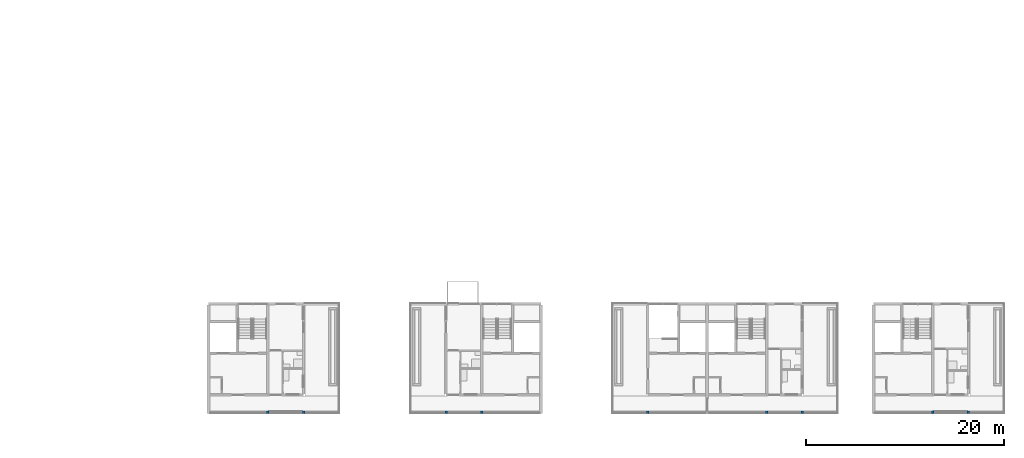
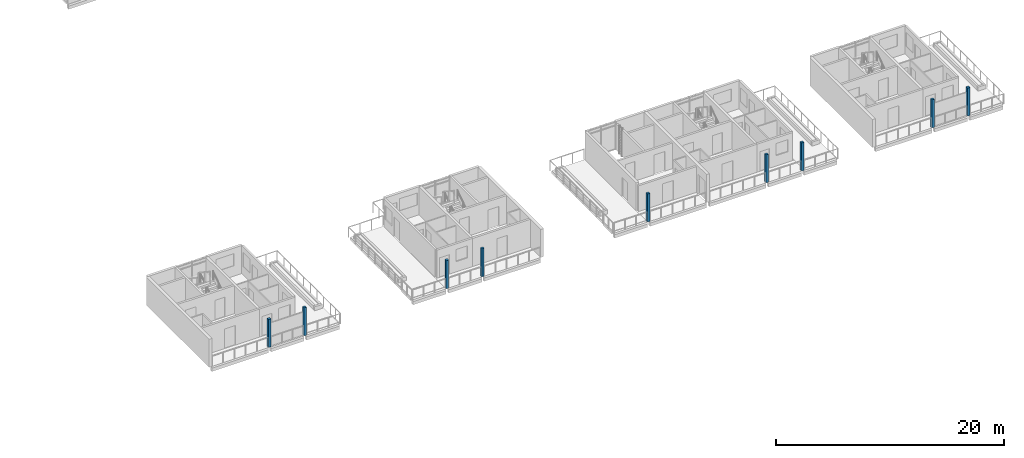
# One storey, part 2 of 41: 9 columns.
"""IFC4 building model written with IfcOpenShell, lengths in metres."""

from ifc_helpers import new_model, si_unit, direction, frame, origin, origin_2d, place, context, subcontext, project, spatial, rectangle, extrude, material, material_profile, profile_set, type_object, element, save


model = new_model("IFC4")

# Units and contexts
model_context = context("Model", 3, precision=1e-05, world=origin(), true_north=direction((0.0, 1.0)))
body_context = subcontext(model_context, "Body", "Model", "MODEL_VIEW")
ifc_project = project(units=[si_unit("LENGTHUNIT", "METRE"), si_unit("AREAUNIT", "SQUARE_METRE"), si_unit("VOLUMEUNIT", "CUBIC_METRE"), si_unit("PLANEANGLEUNIT", "RADIAN"), si_unit("MASSUNIT", "GRAM", prefix="KILO")], contexts=[model_context])

# Site, building, storey
site_placement = place(None, origin())
site = spatial("IfcSite", under=ifc_project, at=site_placement, CompositionType="ELEMENT")
building_placement = place(site_placement, origin())
building = spatial("IfcBuilding", under=site, at=building_placement, Name="Ridgestep Commons", CompositionType="ELEMENT")
storey_placement = place(building_placement, frame((0.0, 0.0, 39.0)))
storey = spatial("IfcBuildingStorey", under=building, at=storey_placement, Name="L13", CompositionType="ELEMENT", Elevation=39.0)

# Columns
ifc_material = material(Name="Precast concrete C40/50", Category="concrete")
ifc_material_profile = material_profile(ifc_material, rectangle(XDim=0.25, YDim=0.25, at=origin_2d()), Name="PC 250x250")
ifc_profile_set = profile_set([ifc_material_profile], Name="Precast concrete C40/50")
column_type = type_object("IfcColumnType", Name="Loggia column 250 x 250", PredefinedType="COLUMN", material=ifc_profile_set)
for number, where, z_axis, x_axis, name in (
    (1, (169.60009765625, 11.875, 0.0), (0.0, 0.0, 1.0), (1.0, 0.0, 0.0), "Loggia column D L13"),
    (2, (173.199951171875, 11.875, 0.0), (0.0, 0.0, 1.0), (1.0, 0.0, 0.0), "Loggia column D L13"),
    (3, (187.60009765625, 11.875, 0.0), (0.0, 0.0, 1.0), (1.0, 0.0, 0.0), "Loggia column D L13"),
    (4, (191.199951171875, 11.875, 0.0), (0.0, 0.0, 1.0), (1.0, 0.0, 0.0), "Loggia column D L13"),
    (5, (208.0, 11.875, 0.0), (0.0, 0.0, 1.0), (1.0, 0.0, 0.0), "Loggia column D L13"),
    (6, (220.0, 11.875, 0.0), (0.0, 0.0, 1.0), (1.0, 0.0, 0.0), "Loggia column D L13"),
    (7, (223.60009765625, 11.875, 0.0), (0.0, 0.0, 1.0), (1.0, 0.0, 0.0), "Loggia column D L13"),
    (8, (236.800048828125, 11.875, 0.0), (0.0, 0.0, 1.0), (1.0, 0.0, 0.0), "Loggia column D L13"),
    (9, (240.39990234375, 11.875, 0.0), (0.0, 0.0, 1.0), (1.0, 0.0, 0.0), "Loggia column D L13"),
):
    element("IfcColumn", number, at=place(storey_placement, frame(where, z_axis=z_axis, x_axis=x_axis)), inside=storey, type_object=column_type, Name=name, PredefinedType="COLUMN", context=body_context, shape_type="SweptSolid", body=[
        extrude(rectangle(XDim=0.25, YDim=0.25, at=origin_2d()), origin(), (0.0, 0.0, 1.0), 3.0),
    ])

save(model, "model.ifc")
